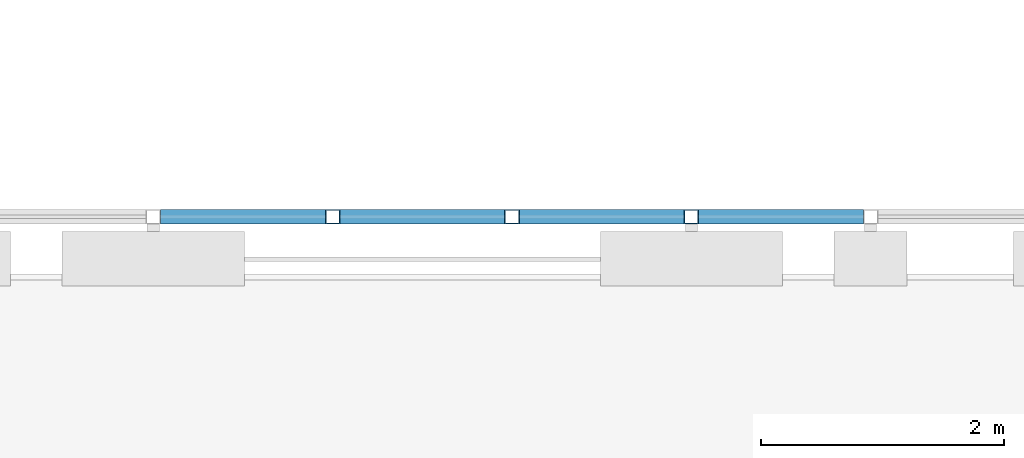
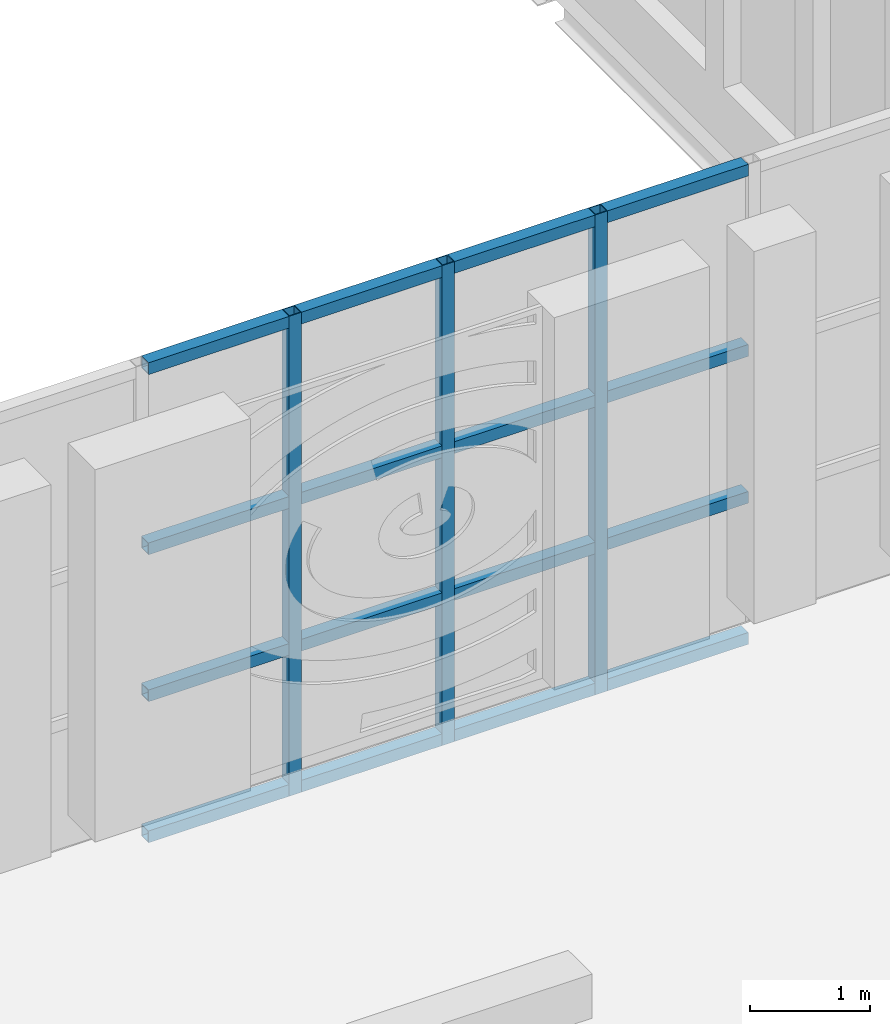
# One storey, part 25 of 134: 19 members, 1 element without a shape of its own.
"""IFC4 building model written with IfcOpenShell, lengths in metres."""

from ifc_helpers import new_model, si_unit, direction, frame, origin, origin_2d, place, context, subcontext, project, spatial, hollow_rectangle, extrude, material, material_profile, profile_set, type_object, element, aggregate, save


model = new_model("IFC4")

# Units and contexts
model_context = context("Model", 3, precision=1e-05, world=origin(), true_north=direction((0.0, 1.0)))
body_context = subcontext(model_context, "Body", "Model", "MODEL_VIEW")
ifc_project = project(units=[si_unit("LENGTHUNIT", "METRE"), si_unit("AREAUNIT", "SQUARE_METRE"), si_unit("VOLUMEUNIT", "CUBIC_METRE"), si_unit("PLANEANGLEUNIT", "RADIAN"), si_unit("MASSUNIT", "GRAM", prefix="KILO")], contexts=[model_context])

# Site, building, storey
site_placement = place(None, origin())
site = spatial("IfcSite", under=ifc_project, at=site_placement, CompositionType="ELEMENT")
building_placement = place(site_placement, origin())
building = spatial("IfcBuilding", under=site, at=building_placement, Name="Golden Quay Civic Hall", CompositionType="ELEMENT")
storey_placement = place(building_placement, frame((0.0, 0.0, 5.39990234375)))
storey = spatial("IfcBuildingStorey", under=building, at=storey_placement, Name="L01", CompositionType="ELEMENT", Elevation=5.39990234375)

# Curtain wall, members
ifc_material_1 = material(Name="Glass and aluminium", Category="aluminium")
curtain_wall_type = type_object("IfcCurtainWallType", Name="Glazed curtain wall 1500 module", PredefinedType="NOTDEFINED", material=ifc_material_1)
curtain_wall_placement = place(storey_placement, origin())
curtain_wall = element("IfcCurtainWall", 1, at=curtain_wall_placement, inside=storey, type_object=curtain_wall_type, Name="CW1 curtain wall", PredefinedType="NOTDEFINED")
ifc_material_2 = material(Name="Steel S355", Category="steel")
ifc_material_profile_1 = material_profile(ifc_material_2, hollow_rectangle(XDim=0.1201171875, YDim=0.1201171875, WallThickness=0.008056640625, at=origin_2d()), Name="SHS 120x120x8")
ifc_profile_set_1 = profile_set([ifc_material_profile_1], Name="Steel S355")
member_type_1 = type_object("IfcMemberType", Name="Steel mullion SHS 120x120x8", PredefinedType="MULLION", material=ifc_profile_set_1)
member_1_placement = place(storey_placement, frame((91.4111328125, 0.27001953125, -0.599853515625), z_axis=(0.0, 0.0, 1.0), x_axis=(0.0, 1.0, 0.0)))
member_1 = element("IfcMember", 2, at=member_1_placement, type_object=member_type_1, Name="CW1 mullion 14", PredefinedType="MULLION", context=body_context, shape_type="SweptSolid", body=[
    extrude(hollow_rectangle(XDim=0.1201171875, YDim=0.1201171875, WallThickness=0.008056640625, at=origin_2d()), origin(), (0.0, 0.0, 1.0), 4.89990234375),
])
member_2_placement = place(storey_placement, frame((92.888916015625, 0.27001953125, -0.599853515625), z_axis=(0.0, 0.0, 1.0), x_axis=(0.0, 1.0, 0.0)))
member_2 = element("IfcMember", 3, at=member_2_placement, type_object=member_type_1, Name="CW1 mullion 15", PredefinedType="MULLION", context=body_context, shape_type="SweptSolid", body=[
    extrude(hollow_rectangle(XDim=0.1201171875, YDim=0.1201171875, WallThickness=0.008056640625, at=origin_2d()), origin(), (0.0, 0.0, 1.0), 4.89990234375),
])
member_3_placement = place(storey_placement, frame((94.36669921875, 0.27001953125, -0.599853515625), z_axis=(0.0, 0.0, 1.0), x_axis=(0.0, 1.0, 0.0)))
member_3 = element("IfcMember", 4, at=member_3_placement, type_object=member_type_1, Name="CW1 mullion 16", PredefinedType="MULLION", context=body_context, shape_type="SweptSolid", body=[
    extrude(hollow_rectangle(XDim=0.1201171875, YDim=0.1201171875, WallThickness=0.008056640625, at=origin_2d()), origin(), (0.0, 0.0, 1.0), 4.89990234375),
])
ifc_material_3 = material(Name="Steel S355", Category="steel")
ifc_material_profile_2 = material_profile(ifc_material_3, hollow_rectangle(XDim=0.1201171875, YDim=0.1201171875, WallThickness=0.008056640625, at=origin_2d()), Name="SHS 120x120x8")
ifc_profile_set_2 = profile_set([ifc_material_profile_2], Name="Steel S355")
member_type_2 = type_object("IfcMemberType", Name="Steel transom SHS 120x120x8", PredefinedType="USERDEFINED", material=ifc_profile_set_2)
member_4_placement = place(storey_placement, frame((89.993408203125, 0.27001953125, -0.539794921875), z_axis=(1.0, 0.0, 0.0), x_axis=(0.0, 1.0, 0.0)))
member_4 = element("IfcMember", 5, at=member_4_placement, type_object=member_type_2, Name="CW1 transom 13.1", ObjectType="TRANSOM", PredefinedType="USERDEFINED", context=body_context, shape_type="SweptSolid", body=[
    extrude(hollow_rectangle(XDim=0.1201171875, YDim=0.1201171875, WallThickness=0.008056640625, at=origin_2d()), origin(), (0.0, 0.0, 1.0), 1.357666015625),
])
member_5_placement = place(storey_placement, frame((89.993408203125, 0.27001953125, 0.900146484375), z_axis=(1.0, 0.0, 0.0), x_axis=(0.0, 1.0, 0.0)))
member_5 = element("IfcMember", 6, at=member_5_placement, type_object=member_type_2, Name="CW1 transom 13.2", ObjectType="TRANSOM", PredefinedType="USERDEFINED", context=body_context, shape_type="SweptSolid", body=[
    extrude(hollow_rectangle(XDim=0.1201171875, YDim=0.1201171875, WallThickness=0.008056640625, at=origin_2d()), origin(), (0.0, 0.0, 1.0), 1.357666015625),
])
member_6_placement = place(storey_placement, frame((89.993408203125, 0.27001953125, 2.400146484375), z_axis=(1.0, 0.0, 0.0), x_axis=(0.0, 1.0, 0.0)))
member_6 = element("IfcMember", 7, at=member_6_placement, type_object=member_type_2, Name="CW1 transom 13.3", ObjectType="TRANSOM", PredefinedType="USERDEFINED", context=body_context, shape_type="SweptSolid", body=[
    extrude(hollow_rectangle(XDim=0.1201171875, YDim=0.1201171875, WallThickness=0.008056640625, at=origin_2d()), origin(), (0.0, 0.0, 1.0), 1.357666015625),
])
member_7_placement = place(storey_placement, frame((89.993408203125, 0.27001953125, 4.239990234375), z_axis=(1.0, 0.0, 0.0), x_axis=(0.0, 1.0, 0.0)))
member_7 = element("IfcMember", 8, at=member_7_placement, type_object=member_type_2, Name="CW1 transom 13.4", ObjectType="TRANSOM", PredefinedType="USERDEFINED", context=body_context, shape_type="SweptSolid", body=[
    extrude(hollow_rectangle(XDim=0.1201171875, YDim=0.1201171875, WallThickness=0.008056640625, at=origin_2d()), origin(), (0.0, 0.0, 1.0), 1.357666015625),
])
member_8_placement = place(storey_placement, frame((91.47119140625, 0.27001953125, -0.539794921875), z_axis=(1.0, 0.0, 0.0), x_axis=(0.0, 1.0, 0.0)))
member_8 = element("IfcMember", 9, at=member_8_placement, type_object=member_type_2, Name="CW1 transom 14.1", ObjectType="TRANSOM", PredefinedType="USERDEFINED", context=body_context, shape_type="SweptSolid", body=[
    extrude(hollow_rectangle(XDim=0.1201171875, YDim=0.1201171875, WallThickness=0.008056640625, at=origin_2d()), origin(), (0.0, 0.0, 1.0), 1.357666015625),
])
member_9_placement = place(storey_placement, frame((91.47119140625, 0.27001953125, 0.900146484375), z_axis=(1.0, 0.0, 0.0), x_axis=(0.0, 1.0, 0.0)))
member_9 = element("IfcMember", 10, at=member_9_placement, type_object=member_type_2, Name="CW1 transom 14.2", ObjectType="TRANSOM", PredefinedType="USERDEFINED", context=body_context, shape_type="SweptSolid", body=[
    extrude(hollow_rectangle(XDim=0.1201171875, YDim=0.1201171875, WallThickness=0.008056640625, at=origin_2d()), origin(), (0.0, 0.0, 1.0), 1.357666015625),
])
member_10_placement = place(storey_placement, frame((91.47119140625, 0.27001953125, 2.400146484375), z_axis=(1.0, 0.0, 0.0), x_axis=(0.0, 1.0, 0.0)))
member_10 = element("IfcMember", 11, at=member_10_placement, type_object=member_type_2, Name="CW1 transom 14.3", ObjectType="TRANSOM", PredefinedType="USERDEFINED", context=body_context, shape_type="SweptSolid", body=[
    extrude(hollow_rectangle(XDim=0.1201171875, YDim=0.1201171875, WallThickness=0.008056640625, at=origin_2d()), origin(), (0.0, 0.0, 1.0), 1.357666015625),
])
member_11_placement = place(storey_placement, frame((91.47119140625, 0.27001953125, 4.239990234375), z_axis=(1.0, 0.0, 0.0), x_axis=(0.0, 1.0, 0.0)))
member_11 = element("IfcMember", 12, at=member_11_placement, type_object=member_type_2, Name="CW1 transom 14.4", ObjectType="TRANSOM", PredefinedType="USERDEFINED", context=body_context, shape_type="SweptSolid", body=[
    extrude(hollow_rectangle(XDim=0.1201171875, YDim=0.1201171875, WallThickness=0.008056640625, at=origin_2d()), origin(), (0.0, 0.0, 1.0), 1.357666015625),
])
member_12_placement = place(storey_placement, frame((92.948974609375, 0.27001953125, -0.539794921875), z_axis=(1.0, 0.0, 0.0), x_axis=(0.0, 1.0, 0.0)))
member_12 = element("IfcMember", 13, at=member_12_placement, type_object=member_type_2, Name="CW1 transom 15.1", ObjectType="TRANSOM", PredefinedType="USERDEFINED", context=body_context, shape_type="SweptSolid", body=[
    extrude(hollow_rectangle(XDim=0.1201171875, YDim=0.1201171875, WallThickness=0.008056640625, at=origin_2d()), origin(), (0.0, 0.0, 1.0), 1.357666015625),
])
member_13_placement = place(storey_placement, frame((92.948974609375, 0.27001953125, 0.900146484375), z_axis=(1.0, 0.0, 0.0), x_axis=(0.0, 1.0, 0.0)))
member_13 = element("IfcMember", 14, at=member_13_placement, type_object=member_type_2, Name="CW1 transom 15.2", ObjectType="TRANSOM", PredefinedType="USERDEFINED", context=body_context, shape_type="SweptSolid", body=[
    extrude(hollow_rectangle(XDim=0.1201171875, YDim=0.1201171875, WallThickness=0.008056640625, at=origin_2d()), origin(), (0.0, 0.0, 1.0), 1.357666015625),
])
member_14_placement = place(storey_placement, frame((92.948974609375, 0.27001953125, 2.400146484375), z_axis=(1.0, 0.0, 0.0), x_axis=(0.0, 1.0, 0.0)))
member_14 = element("IfcMember", 15, at=member_14_placement, type_object=member_type_2, Name="CW1 transom 15.3", ObjectType="TRANSOM", PredefinedType="USERDEFINED", context=body_context, shape_type="SweptSolid", body=[
    extrude(hollow_rectangle(XDim=0.1201171875, YDim=0.1201171875, WallThickness=0.008056640625, at=origin_2d()), origin(), (0.0, 0.0, 1.0), 1.357666015625),
])
member_15_placement = place(storey_placement, frame((92.948974609375, 0.27001953125, 4.239990234375), z_axis=(1.0, 0.0, 0.0), x_axis=(0.0, 1.0, 0.0)))
member_15 = element("IfcMember", 16, at=member_15_placement, type_object=member_type_2, Name="CW1 transom 15.4", ObjectType="TRANSOM", PredefinedType="USERDEFINED", context=body_context, shape_type="SweptSolid", body=[
    extrude(hollow_rectangle(XDim=0.1201171875, YDim=0.1201171875, WallThickness=0.008056640625, at=origin_2d()), origin(), (0.0, 0.0, 1.0), 1.357666015625),
])
member_16_placement = place(storey_placement, frame((94.4267578125, 0.27001953125, -0.539794921875), z_axis=(1.0, 0.0, 0.0), x_axis=(0.0, 1.0, 0.0)))
member_16 = element("IfcMember", 17, at=member_16_placement, type_object=member_type_2, Name="CW1 transom 16.1", ObjectType="TRANSOM", PredefinedType="USERDEFINED", context=body_context, shape_type="SweptSolid", body=[
    extrude(hollow_rectangle(XDim=0.1201171875, YDim=0.1201171875, WallThickness=0.008056640625, at=origin_2d()), origin(), (0.0, 0.0, 1.0), 1.357666015625),
])
member_17_placement = place(storey_placement, frame((94.4267578125, 0.27001953125, 0.900146484375), z_axis=(1.0, 0.0, 0.0), x_axis=(0.0, 1.0, 0.0)))
member_17 = element("IfcMember", 18, at=member_17_placement, type_object=member_type_2, Name="CW1 transom 16.2", ObjectType="TRANSOM", PredefinedType="USERDEFINED", context=body_context, shape_type="SweptSolid", body=[
    extrude(hollow_rectangle(XDim=0.1201171875, YDim=0.1201171875, WallThickness=0.008056640625, at=origin_2d()), origin(), (0.0, 0.0, 1.0), 1.357666015625),
])
member_18_placement = place(storey_placement, frame((94.4267578125, 0.27001953125, 2.400146484375), z_axis=(1.0, 0.0, 0.0), x_axis=(0.0, 1.0, 0.0)))
member_18 = element("IfcMember", 19, at=member_18_placement, type_object=member_type_2, Name="CW1 transom 16.3", ObjectType="TRANSOM", PredefinedType="USERDEFINED", context=body_context, shape_type="SweptSolid", body=[
    extrude(hollow_rectangle(XDim=0.1201171875, YDim=0.1201171875, WallThickness=0.008056640625, at=origin_2d()), origin(), (0.0, 0.0, 1.0), 1.357666015625),
])
member_19_placement = place(storey_placement, frame((94.4267578125, 0.27001953125, 4.239990234375), z_axis=(1.0, 0.0, 0.0), x_axis=(0.0, 1.0, 0.0)))
member_19 = element("IfcMember", 20, at=member_19_placement, type_object=member_type_2, Name="CW1 transom 16.4", ObjectType="TRANSOM", PredefinedType="USERDEFINED", context=body_context, shape_type="SweptSolid", body=[
    extrude(hollow_rectangle(XDim=0.1201171875, YDim=0.1201171875, WallThickness=0.008056640625, at=origin_2d()), origin(), (0.0, 0.0, 1.0), 1.357666015625),
])
aggregate(curtain_wall, [member_1, member_2, member_3, member_4, member_5, member_6, member_7, member_8, member_9, member_10, member_11, member_12, member_13, member_14, member_15, member_16, member_17, member_18, member_19])

save(model, "model.ifc")
